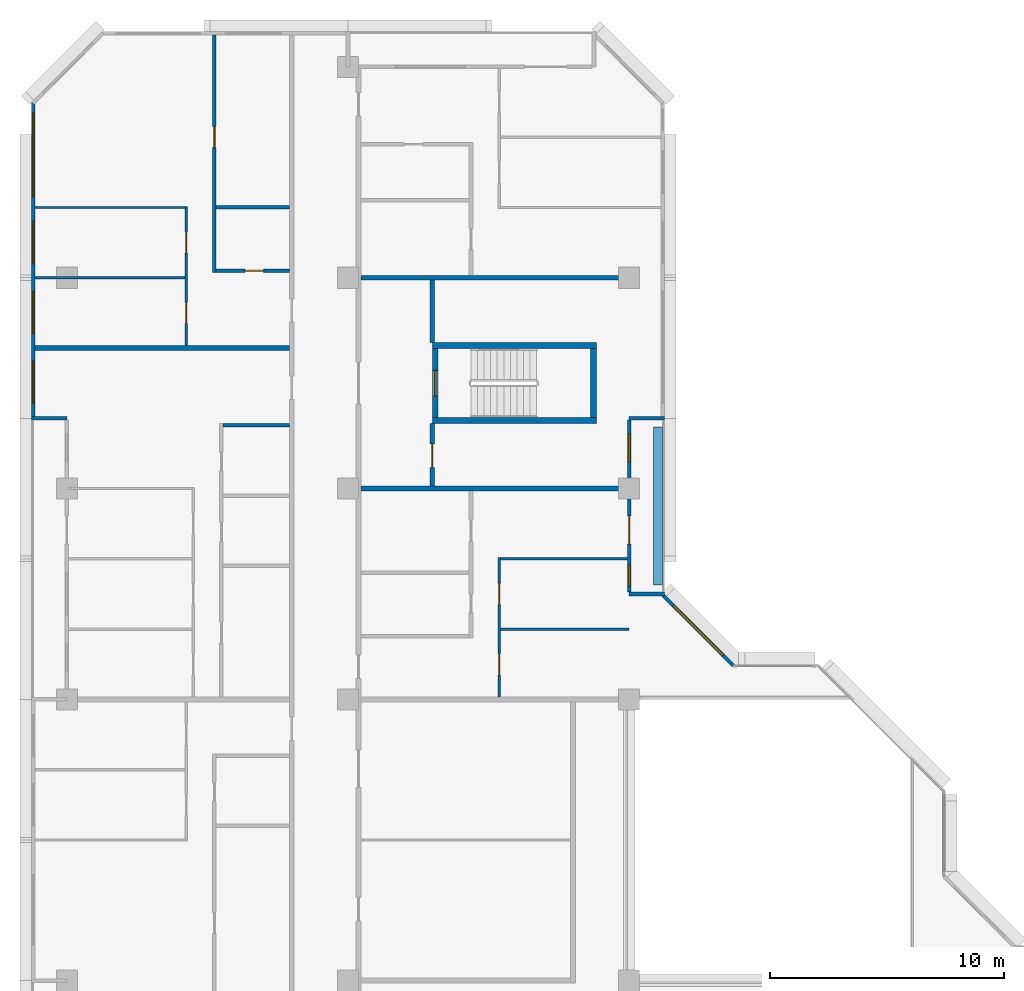
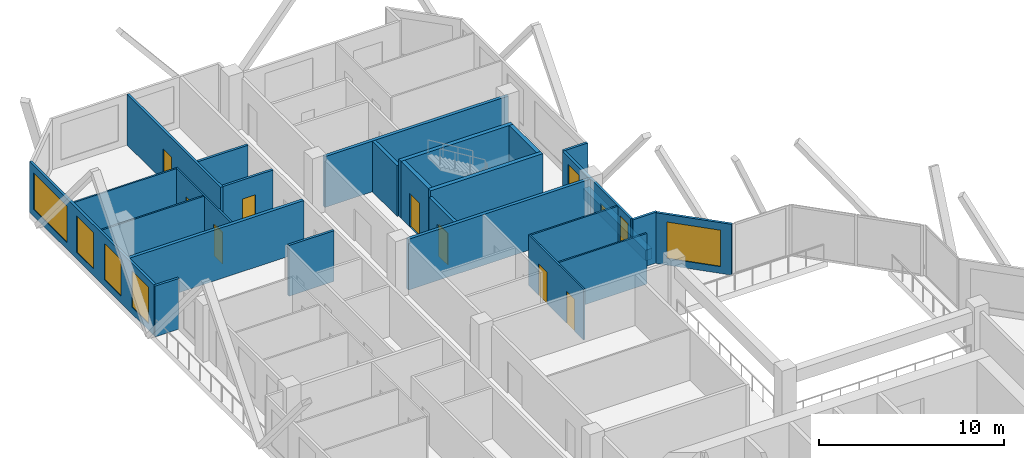
# One storey, part 10 of 14: 26 walls, 9 doors, 7 windows, 16 openings.
"""IFC4 building model written with IfcOpenShell, lengths in metres."""

from ifc_helpers import new_model, si_unit, direction, frame, frame_2d, origin, place, context, subcontext, project, spatial, rectangle, extrude, material, layer, layer_set, type_object, element, fill, save


model = new_model("IFC4")

# Units and contexts
model_context = context("Model", 3, precision=1e-05, world=origin(), true_north=direction((0.0, 1.0)))
body_context = subcontext(model_context, "Body", "Model", "MODEL_VIEW")
ifc_project = project(units=[si_unit("LENGTHUNIT", "METRE"), si_unit("AREAUNIT", "SQUARE_METRE"), si_unit("VOLUMEUNIT", "CUBIC_METRE"), si_unit("PLANEANGLEUNIT", "RADIAN"), si_unit("MASSUNIT", "GRAM", prefix="KILO")], contexts=[model_context])

# Site, building, storey
site_placement = place(None, origin())
site = spatial("IfcSite", under=ifc_project, at=site_placement, CompositionType="ELEMENT")
building_placement = place(site_placement, origin())
building = spatial("IfcBuilding", under=site, at=building_placement, Name="Chenar Terraces", CompositionType="ELEMENT")
storey_placement = place(building_placement, frame((0.0, 0.0, 164.89990234375)))
storey = spatial("IfcBuildingStorey", under=building, at=storey_placement, Name="L37", CompositionType="ELEMENT", Elevation=164.89990234375)

# Walls
ifc_material_1 = material(Name="Concrete C60/75", Category="concrete")
ifc_layer_1 = layer(ifc_material_1, 0.25)
ifc_layer_set_1 = layer_set([ifc_layer_1], Name="Concrete C60/75")
wall_type_1 = type_object("IfcWallType", Name="Core wall 250 Concrete C60/75", PredefinedType="SHEAR", material=ifc_layer_set_1)
for number, where, z_axis, x_axis, name in (
    (1, (15.60009765625, 47.89990234375, 0.0), (0.0, 0.0, 1.0), (1.0, 0.0, 0.0), "Core wall ST4_S L37"),
    (2, (15.60009765625, 51.10009765625, 0.0), (0.0, 0.0, 1.0), (1.0, 0.0, 0.0), "Core wall ST4_N L37"),
):
    element("IfcWall", number, at=place(storey_placement, frame(where, z_axis=z_axis, x_axis=x_axis)), inside=storey, type_object=wall_type_1, Name=name, PredefinedType="SHEAR", context=body_context, shape_type="SweptSolid", body=[
        extrude(rectangle(XDim=7.0, YDim=0.25, at=frame_2d((3.5, 0.0))), origin(), (0.0, 0.0, 1.0), 3.75),
    ])

# Wall, opening, door
wall_1_placement = place(storey_placement, frame((15.72509765625, 48.02490234375, 0.0), z_axis=(0.0, 0.0, 1.0), x_axis=(0.0, 1.0, 0.0)))
wall_1 = element("IfcWall", 3, at=wall_1_placement, inside=storey, type_object=wall_type_1, Name="Core wall ST4_W L37", PredefinedType="SHEAR", context=body_context, shape_type="SweptSolid", body=[
    extrude(rectangle(XDim=2.9501953125, YDim=0.25, at=frame_2d((1.47509765625, 0.0))), origin(), (0.0, 0.0, 1.0), 3.75),
])
opening_1_placement = place(wall_1_placement, frame((0.925048828125, 0.0, 0.0)))
opening_1 = element("IfcOpeningElement", 4, at=opening_1_placement, cuts=wall_1, Name="Opening DL37-C9", PredefinedType="OPENING", context=body_context, shape_type="SweptSolid", body=[
    extrude(rectangle(XDim=1.10009765625, YDim=2.199951171875, at=frame_2d((0.550048828125, 1.10009765625))), frame((0.0, 0.135009765625, 0.0), z_axis=(0.0, -1.0, 0.0), x_axis=(1.0, 0.0, 0.0)), (0.0, 0.0, 1.0), 0.27001953125),
])
ifc_material_2 = material(Name="Steel-framed fire-resisting door leaf", Category="steel")
door_type_1 = type_object("IfcDoorType", Name="Stair fire door FD60 1100 x 2200", OperationType="SINGLE_SWING_LEFT", PredefinedType="DOOR", material=ifc_material_2)
door_1_placement = place(opening_1_placement, frame((1.10009765625, 0.0, 0.0), z_axis=(0.0, 0.0, 1.0), x_axis=(-1.0, 0.0, 0.0)))
door_1 = element("IfcDoor", 5, at=door_1_placement, inside=storey, type_object=door_type_1, Name="Stair door DL37-C9", OperationType="SINGLE_SWING_RIGHT", OverallHeight=2.199951171875, OverallWidth=1.10009765625, PredefinedType="DOOR", context=body_context, shape_type="SweptSolid", body=[
    extrude(rectangle(XDim=1.10009765625, YDim=2.199951171875, at=frame_2d((0.550048828125, 1.10009765625))), frame((0.0, 0.02490234375, 0.0), z_axis=(0.0, -1.0, 0.0), x_axis=(1.0, 0.0, 0.0)), (0.0, 0.0, 1.0), 0.050048828125),
])
fill(opening_1, door_1)

# Wall
wall_2_placement = place(storey_placement, frame((22.47509765625, 48.02490234375, 0.0), z_axis=(0.0, 0.0, 1.0), x_axis=(0.0, 1.0, 0.0)))
element("IfcWall", 6, at=wall_2_placement, inside=storey, type_object=wall_type_1, Name="Core wall ST4_E L37", PredefinedType="SHEAR", context=body_context, shape_type="SweptSolid", body=[
    extrude(rectangle(XDim=2.9501953125, YDim=0.25, at=frame_2d((1.47509765625, 0.0))), origin(), (0.0, 0.0, 1.0), 3.75),
])

# Wall, opening, door
ifc_material_3 = material(Name="Gypsum board on steel studs with fire boards", Category="steel")
ifc_layer_2 = layer(ifc_material_3, 0.199951171875)
ifc_layer_set_2 = layer_set([ifc_layer_2], Name="Gypsum board on steel studs with fire boards")
wall_type_2 = type_object("IfcWallType", Name="Corridor wall 200", PredefinedType="PARTITIONING", material=ifc_layer_set_2)
wall_3_placement = place(storey_placement, frame((15.60009765625, 45.10009765625, 0.0), z_axis=(0.0, 0.0, 1.0), x_axis=(0.0, 1.0, 0.0)))
wall_3 = element("IfcWall", 7, at=wall_3_placement, inside=storey, type_object=wall_type_2, Name="Partition L37-042", PredefinedType="PARTITIONING", context=body_context, shape_type="SweptSolid", body=[
    extrude(rectangle(XDim=2.6748046875, YDim=0.199951171875, at=frame_2d((1.33740234375, 0.0))), origin(), (0.0, 0.0, 1.0), 3.35009765625),
])
opening_2_placement = place(wall_3_placement, frame((0.800048828125, 0.0, 0.0)))
opening_2 = element("IfcOpeningElement", 8, at=opening_2_placement, cuts=wall_3, Name="Opening DL37-44", PredefinedType="OPENING", context=body_context, shape_type="SweptSolid", body=[
    extrude(rectangle(XDim=1.0, YDim=2.10009765625, at=frame_2d((0.5, 1.050048828125))), frame((0.0, 0.10986328125, 0.0), z_axis=(0.0, -1.0, 0.0), x_axis=(1.0, 0.0, 0.0)), (0.0, 0.0, 1.0), 0.219970703125),
])
ifc_material_4 = material(Name="Steel-framed fire-resisting door leaf", Category="steel")
door_type_2 = type_object("IfcDoorType", Name="Fire door FD60 1000 x 2100", OperationType="SINGLE_SWING_LEFT", PredefinedType="DOOR", material=ifc_material_4)
door_2_placement = place(opening_2_placement, frame((1.0, 0.0, 0.0), z_axis=(0.0, 0.0, 1.0), x_axis=(-1.0, 0.0, 0.0)))
door_2 = element("IfcDoor", 9, at=door_2_placement, inside=storey, type_object=door_type_2, Name="Door DL37-44", OperationType="SINGLE_SWING_RIGHT", OverallHeight=2.10009765625, OverallWidth=1.0, PredefinedType="DOOR", context=body_context, shape_type="SweptSolid", body=[
    extrude(rectangle(XDim=1.0, YDim=2.10009765625, at=frame_2d((0.5, 1.050048828125))), frame((0.0, 0.02490234375, 0.0), z_axis=(0.0, -1.0, 0.0), x_axis=(1.0, 0.0, 0.0)), (0.0, 0.0, 1.0), 0.050048828125),
])
fill(opening_2, door_2)

# Wall
wall_4_placement = place(storey_placement, frame((15.60009765625, 51.22509765625, 0.0), z_axis=(0.0, 0.0, 1.0), x_axis=(0.0, 1.0, 0.0)))
element("IfcWall", 10, at=wall_4_placement, inside=storey, type_object=wall_type_2, Name="Partition L37-043", PredefinedType="PARTITIONING", context=body_context, shape_type="SweptSolid", body=[
    extrude(rectangle(XDim=2.6748046875, YDim=0.199951171875, at=frame_2d((1.33740234375, 0.0))), origin(), (0.0, 0.0, 1.0), 3.35009765625),
])

# Wall, openings, windows
ifc_material_5 = material(Name="Aluminium framed glazing", Category="aluminium")
ifc_layer_3 = layer(ifc_material_5, 0.14990234375)
ifc_layer_set_3 = layer_set([ifc_layer_3], Name="Aluminium framed glazing")
wall_type_3 = type_object("IfcWallType", Name="Glazed flush facade wall 150", PredefinedType="SOLIDWALL", material=ifc_layer_set_3)
wall_5_placement = place(storey_placement, frame((-1.425048828125, 61.5, 0.0), z_axis=(0.0, 0.0, 1.0), x_axis=(0.0, -1.0, 0.0)))
wall_5 = element("IfcWall", 11, at=wall_5_placement, inside=storey, type_object=wall_type_3, Name="Glazed flush facade wall", PredefinedType="SOLIDWALL", context=body_context, shape_type="SweptSolid", body=[
    extrude(rectangle(XDim=13.425048828125, YDim=0.14990234375, at=frame_2d((6.71240234375, 0.0))), origin(), (0.0, 0.0, 1.0), 3.35009765625),
])
opening_3_placement = place(wall_5_placement, frame((0.449951171875, 0.0, 0.449951171875)))
opening_3 = element("IfcOpeningElement", 12, at=opening_3_placement, cuts=wall_5, Name="Opening W360x240", PredefinedType="OPENING", context=body_context, shape_type="SweptSolid", body=[
    extrude(rectangle(XDim=3.60009765625, YDim=2.39990234375, at=frame_2d((1.800048828125, 1.199951171875))), frame((0.0, 0.0849609375, 0.0), z_axis=(0.0, -1.0, 0.0), x_axis=(1.0, 0.0, 0.0)), (0.0, 0.0, 1.0), 0.169921875),
])
opening_4_placement = place(wall_5_placement, frame((5.10009765625, 0.0, 0.449951171875)))
opening_4 = element("IfcOpeningElement", 13, at=opening_4_placement, cuts=wall_5, Name="Opening W180x240", PredefinedType="OPENING", context=body_context, shape_type="SweptSolid", body=[
    extrude(rectangle(XDim=1.800048828125, YDim=2.39990234375, at=frame_2d((0.89990234375, 1.199951171875))), frame((0.0, 0.0849609375, 0.0), z_axis=(0.0, -1.0, 0.0), x_axis=(1.0, 0.0, 0.0)), (0.0, 0.0, 1.0), 0.169921875),
])
opening_5_placement = place(wall_5_placement, frame((8.10009765625, 0.0, 0.449951171875)))
opening_5 = element("IfcOpeningElement", 14, at=opening_5_placement, cuts=wall_5, Name="Opening W180x240", PredefinedType="OPENING", context=body_context, shape_type="SweptSolid", body=[
    extrude(rectangle(XDim=1.800048828125, YDim=2.39990234375, at=frame_2d((0.89990234375, 1.199951171875))), frame((0.0, 0.0849609375, 0.0), z_axis=(0.0, -1.0, 0.0), x_axis=(1.0, 0.0, 0.0)), (0.0, 0.0, 1.0), 0.169921875),
])
opening_6_placement = place(wall_5_placement, frame((11.0625, 0.0, 0.449951171875)))
opening_6 = element("IfcOpeningElement", 15, at=opening_6_placement, cuts=wall_5, Name="Opening W180x240", PredefinedType="OPENING", context=body_context, shape_type="SweptSolid", body=[
    extrude(rectangle(XDim=1.800048828125, YDim=2.39990234375, at=frame_2d((0.89990234375, 1.199951171875))), frame((0.0, 0.0849609375, 0.0), z_axis=(0.0, -1.0, 0.0), x_axis=(1.0, 0.0, 0.0)), (0.0, 0.0, 1.0), 0.169921875),
])
ifc_material_6 = material(Name="Low emissivity double glazing, aluminium frame", Category="aluminium")
window_type_1 = type_object("IfcWindowType", Name="Fixed light 1800 x 2400", PartitioningType="SINGLE_PANEL", PredefinedType="WINDOW", material=ifc_material_6)
window_1_placement = place(opening_4_placement, origin())
window_1 = element("IfcWindow", 16, at=window_1_placement, inside=storey, type_object=window_type_1, Name="Window", OverallHeight=2.39990234375, OverallWidth=1.800048828125, PartitioningType="SINGLE_PANEL", PredefinedType="WINDOW", context=body_context, shape_type="SweptSolid", body=[
    extrude(rectangle(XDim=1.800048828125, YDim=2.39990234375, at=frame_2d((0.89990234375, 1.199951171875))), frame((0.0, 0.030029296875, 0.0), z_axis=(0.0, -1.0, 0.0), x_axis=(1.0, 0.0, 0.0)), (0.0, 0.0, 1.0), 0.06005859375),
])
fill(opening_4, window_1)
window_2_placement = place(opening_5_placement, origin())
window_2 = element("IfcWindow", 17, at=window_2_placement, inside=storey, type_object=window_type_1, Name="Window", OverallHeight=2.39990234375, OverallWidth=1.800048828125, PartitioningType="SINGLE_PANEL", PredefinedType="WINDOW", context=body_context, shape_type="SweptSolid", body=[
    extrude(rectangle(XDim=1.800048828125, YDim=2.39990234375, at=frame_2d((0.89990234375, 1.199951171875))), frame((0.0, 0.030029296875, 0.0), z_axis=(0.0, -1.0, 0.0), x_axis=(1.0, 0.0, 0.0)), (0.0, 0.0, 1.0), 0.06005859375),
])
fill(opening_5, window_2)
window_3_placement = place(opening_6_placement, origin())
window_3 = element("IfcWindow", 18, at=window_3_placement, inside=storey, type_object=window_type_1, Name="Window", OverallHeight=2.39990234375, OverallWidth=1.800048828125, PartitioningType="SINGLE_PANEL", PredefinedType="WINDOW", context=body_context, shape_type="SweptSolid", body=[
    extrude(rectangle(XDim=1.800048828125, YDim=2.39990234375, at=frame_2d((0.89990234375, 1.199951171875))), frame((0.0, 0.030029296875, 0.0), z_axis=(0.0, -1.0, 0.0), x_axis=(1.0, 0.0, 0.0)), (0.0, 0.0, 1.0), 0.06005859375),
])
fill(opening_6, window_3)
ifc_material_7 = material(Name="Low emissivity double glazing, aluminium frame", Category="aluminium")
window_type_2 = type_object("IfcWindowType", Name="Fixed light 3600 x 2400", PartitioningType="SINGLE_PANEL", PredefinedType="WINDOW", material=ifc_material_7)
window_4_placement = place(opening_3_placement, origin())
window_4 = element("IfcWindow", 19, at=window_4_placement, inside=storey, type_object=window_type_2, Name="Window", OverallHeight=2.39990234375, OverallWidth=3.60009765625, PartitioningType="SINGLE_PANEL", PredefinedType="WINDOW", context=body_context, shape_type="SweptSolid", body=[
    extrude(rectangle(XDim=3.60009765625, YDim=2.39990234375, at=frame_2d((1.800048828125, 1.199951171875))), frame((0.0, 0.030029296875, 0.0), z_axis=(0.0, -1.0, 0.0), x_axis=(1.0, 0.0, 0.0)), (0.0, 0.0, 1.0), 0.06005859375),
])
fill(opening_3, window_4)

# Wall, openings, windows, door
ifc_material_8 = material(Name="Aluminium framed glazing", Category="aluminium")
ifc_layer_4 = layer(ifc_material_8, 0.14990234375)
ifc_layer_set_4 = layer_set([ifc_layer_4], Name="Aluminium framed glazing")
wall_type_4 = type_object("IfcWallType", Name="Glazed loggia back wall 150", PredefinedType="SOLIDWALL", material=ifc_layer_set_4)
wall_6_placement = place(storey_placement, frame((24.0, 40.574951171875, 0.0), z_axis=(0.0, 0.0, 1.0), x_axis=(0.0, 1.0, 0.0)))
wall_6 = element("IfcWall", 20, at=wall_6_placement, inside=storey, type_object=wall_type_4, Name="Glazed loggia back wall", PredefinedType="SOLIDWALL", context=body_context, shape_type="SweptSolid", body=[
    extrude(rectangle(XDim=7.35009765625, YDim=0.14990234375, at=frame_2d((3.675048828125, 0.0))), origin(), (0.0, 0.0, 1.0), 3.35009765625),
])
opening_7_placement = place(wall_6_placement, frame((0.262451171875, 0.0, 0.449951171875)))
opening_7 = element("IfcOpeningElement", 21, at=opening_7_placement, cuts=wall_6, Name="Opening W90x240", PredefinedType="OPENING", context=body_context, shape_type="SweptSolid", body=[
    extrude(rectangle(XDim=0.89990234375, YDim=2.39990234375, at=frame_2d((0.449951171875, 1.199951171875))), frame((0.0, 0.0849609375, 0.0), z_axis=(0.0, -1.0, 0.0), x_axis=(1.0, 0.0, 0.0)), (0.0, 0.0, 1.0), 0.169921875),
])
opening_8_placement = place(wall_6_placement, frame((2.050048828125, 0.0, 0.0)))
opening_8 = element("IfcOpeningElement", 22, at=opening_8_placement, cuts=wall_6, Name="Opening DL37-G1", PredefinedType="OPENING", context=body_context, shape_type="SweptSolid", body=[
    extrude(rectangle(XDim=1.199951171875, YDim=2.39990234375, at=frame_2d((0.60009765625, 1.199951171875))), frame((0.0, 0.0849609375, 0.0), z_axis=(0.0, -1.0, 0.0), x_axis=(1.0, 0.0, 0.0)), (0.0, 0.0, 1.0), 0.169921875),
])
opening_9_placement = place(wall_6_placement, frame((5.5625, 0.0, 0.449951171875)))
opening_9 = element("IfcOpeningElement", 23, at=opening_9_placement, cuts=wall_6, Name="Opening W120x240", PredefinedType="OPENING", context=body_context, shape_type="SweptSolid", body=[
    extrude(rectangle(XDim=1.199951171875, YDim=2.39990234375, at=frame_2d((0.60009765625, 1.199951171875))), frame((0.0, 0.0849609375, 0.0), z_axis=(0.0, -1.0, 0.0), x_axis=(1.0, 0.0, 0.0)), (0.0, 0.0, 1.0), 0.169921875),
])
ifc_material_9 = material(Name="Low emissivity double glazing, aluminium frame", Category="aluminium")
window_type_3 = type_object("IfcWindowType", Name="Fixed light 1200 x 2400", PartitioningType="SINGLE_PANEL", PredefinedType="WINDOW", material=ifc_material_9)
window_5_placement = place(opening_9_placement, origin())
window_5 = element("IfcWindow", 24, at=window_5_placement, inside=storey, type_object=window_type_3, Name="Window", OverallHeight=2.39990234375, OverallWidth=1.199951171875, PartitioningType="SINGLE_PANEL", PredefinedType="WINDOW", context=body_context, shape_type="SweptSolid", body=[
    extrude(rectangle(XDim=1.199951171875, YDim=2.39990234375, at=frame_2d((0.60009765625, 1.199951171875))), frame((0.0, 0.030029296875, 0.0), z_axis=(0.0, -1.0, 0.0), x_axis=(1.0, 0.0, 0.0)), (0.0, 0.0, 1.0), 0.06005859375),
])
fill(opening_9, window_5)
ifc_material_10 = material(Name="Low emissivity double glazing, aluminium frame", Category="aluminium")
window_type_4 = type_object("IfcWindowType", Name="Fixed light 900 x 2400", PartitioningType="SINGLE_PANEL", PredefinedType="WINDOW", material=ifc_material_10)
window_6_placement = place(opening_7_placement, origin())
window_6 = element("IfcWindow", 25, at=window_6_placement, inside=storey, type_object=window_type_4, Name="Window", OverallHeight=2.39990234375, OverallWidth=0.89990234375, PartitioningType="SINGLE_PANEL", PredefinedType="WINDOW", context=body_context, shape_type="SweptSolid", body=[
    extrude(rectangle(XDim=0.89990234375, YDim=2.39990234375, at=frame_2d((0.449951171875, 1.199951171875))), frame((0.0, 0.030029296875, 0.0), z_axis=(0.0, -1.0, 0.0), x_axis=(1.0, 0.0, 0.0)), (0.0, 0.0, 1.0), 0.06005859375),
])
fill(opening_7, window_6)
ifc_material_11 = material(Name="Low emissivity double glazing, aluminium frame", Category="aluminium")
door_type_3 = type_object("IfcDoorType", Name="Loggia glazed double door 1200 x 2400", OperationType="DOUBLE_DOOR_SINGLE_SWING", PredefinedType="DOOR", material=ifc_material_11)
door_3_placement = place(opening_8_placement, frame((1.199951171875, 0.0, 0.0), z_axis=(0.0, 0.0, 1.0), x_axis=(-1.0, 0.0, 0.0)))
door_3 = element("IfcDoor", 26, at=door_3_placement, inside=storey, type_object=door_type_3, Name="Loggia glazed door", OperationType="DOUBLE_DOOR_SINGLE_SWING", OverallHeight=2.39990234375, OverallWidth=1.199951171875, PredefinedType="DOOR", context=body_context, shape_type="SweptSolid", body=[
    extrude(rectangle(XDim=1.199951171875, YDim=2.39990234375, at=frame_2d((0.60009765625, 1.199951171875))), frame((0.0, 0.02490234375, 0.0), z_axis=(0.0, -1.0, 0.0), x_axis=(1.0, 0.0, 0.0)), (0.0, 0.0, 1.0), 0.050048828125),
])
fill(opening_8, door_3)

# Walls
ifc_material_12 = material(Name="Gypsum board on steel studs", Category="steel")
ifc_layer_5 = layer(ifc_material_12, 0.10009765625)
ifc_layer_set_5 = layer_set([ifc_layer_5], Name="Gypsum board on steel studs")
wall_type_5 = type_object("IfcWallType", Name="Gypsum partition 100", PredefinedType="PARTITIONING", material=ifc_layer_set_5)
wall_7_placement = place(storey_placement, frame((-1.35107421875, 54.0, 0.0), z_axis=(0.0, 0.0, 1.0), x_axis=(1.0, 0.0, 0.0)))
element("IfcWall", 27, at=wall_7_placement, inside=storey, type_object=wall_type_5, Name="Partition L37-002", PredefinedType="PARTITIONING", context=body_context, shape_type="SweptSolid", body=[
    extrude(rectangle(XDim=6.401123046875, YDim=0.10009765625, at=frame_2d((3.20068359375, 0.0))), origin(), (0.0, 0.0, 1.0), 3.35009765625),
])
wall_8_placement = place(storey_placement, frame((-1.35009765625, 57.0, 0.0), z_axis=(0.0, 0.0, 1.0), x_axis=(1.0, 0.0, 0.0)))
element("IfcWall", 28, at=wall_8_placement, inside=storey, type_object=wall_type_5, Name="Partition L37-006", PredefinedType="PARTITIONING", context=body_context, shape_type="SweptSolid", body=[
    extrude(rectangle(XDim=6.400146484375, YDim=0.10009765625, at=frame_2d((3.2001953125, 0.0))), origin(), (0.0, 0.0, 1.0), 3.35009765625),
])

# Wall, openings, doors
wall_9_placement = place(storey_placement, frame((5.10009765625, 51.10009765625, 0.0), z_axis=(0.0, 0.0, 1.0), x_axis=(0.0, 1.0, 0.0)))
wall_9 = element("IfcWall", 29, at=wall_9_placement, inside=storey, type_object=wall_type_5, Name="Partition L37-014", PredefinedType="PARTITIONING", context=body_context, shape_type="SweptSolid", body=[
    extrude(rectangle(XDim=5.949951171875, YDim=0.10009765625, at=frame_2d((2.97509765625, 0.0))), origin(), (0.0, 0.0, 1.0), 3.35009765625),
])
opening_10_placement = place(wall_9_placement, frame((0.949951171875, 0.0, 0.0)))
opening_10 = element("IfcOpeningElement", 30, at=opening_10_placement, cuts=wall_9, Name="Opening DL37-35", PredefinedType="OPENING", context=body_context, shape_type="SweptSolid", body=[
    extrude(rectangle(XDim=0.89990234375, YDim=2.10009765625, at=frame_2d((0.449951171875, 1.050048828125))), frame((0.0, 0.06005859375, 0.0), z_axis=(0.0, -1.0, 0.0), x_axis=(1.0, 0.0, 0.0)), (0.0, 0.0, 1.0), 0.1201171875),
])
opening_11_placement = place(wall_9_placement, frame((3.949951171875, 0.0, 0.0)))
opening_11 = element("IfcOpeningElement", 31, at=opening_11_placement, cuts=wall_9, Name="Opening DL37-36", PredefinedType="OPENING", context=body_context, shape_type="SweptSolid", body=[
    extrude(rectangle(XDim=0.89990234375, YDim=2.10009765625, at=frame_2d((0.449951171875, 1.050048828125))), frame((0.0, 0.06005859375, 0.0), z_axis=(0.0, -1.0, 0.0), x_axis=(1.0, 0.0, 0.0)), (0.0, 0.0, 1.0), 0.1201171875),
])
ifc_material_13 = material(Name="Veneered timber door leaf", Category="wood")
door_type_4 = type_object("IfcDoorType", Name="Door 900 x 2100", OperationType="SINGLE_SWING_LEFT", PredefinedType="DOOR", material=ifc_material_13)
door_4_placement = place(opening_10_placement, origin())
door_4 = element("IfcDoor", 32, at=door_4_placement, inside=storey, type_object=door_type_4, Name="Door DL37-35", OperationType="SINGLE_SWING_RIGHT", OverallHeight=2.10009765625, OverallWidth=0.89990234375, PredefinedType="DOOR", context=body_context, shape_type="SweptSolid", body=[
    extrude(rectangle(XDim=0.89990234375, YDim=2.10009765625, at=frame_2d((0.449951171875, 1.050048828125))), frame((0.0, 0.02490234375, 0.0), z_axis=(0.0, -1.0, 0.0), x_axis=(1.0, 0.0, 0.0)), (0.0, 0.0, 1.0), 0.050048828125),
])
fill(opening_10, door_4)
door_5_placement = place(opening_11_placement, origin())
door_5 = element("IfcDoor", 33, at=door_5_placement, inside=storey, type_object=door_type_4, Name="Door DL37-36", OperationType="SINGLE_SWING_RIGHT", OverallHeight=2.10009765625, OverallWidth=0.89990234375, PredefinedType="DOOR", context=body_context, shape_type="SweptSolid", body=[
    extrude(rectangle(XDim=0.89990234375, YDim=2.10009765625, at=frame_2d((0.449951171875, 1.050048828125))), frame((0.0, 0.02490234375, 0.0), z_axis=(0.0, -1.0, 0.0), x_axis=(1.0, 0.0, 0.0)), (0.0, 0.0, 1.0), 0.050048828125),
])
fill(opening_11, door_5)

wall_10_placement = place(storey_placement, frame((18.449951171875, 36.10009765625, 0.0), z_axis=(0.0, 0.0, 1.0), x_axis=(0.0, 1.0, 0.0)))
wall_10 = element("IfcWall", 34, at=wall_10_placement, inside=storey, type_object=wall_type_5, Name="Partition L37-047", PredefinedType="PARTITIONING", context=body_context, shape_type="SweptSolid", body=[
    extrude(rectangle(XDim=5.949951171875, YDim=0.10009765625, at=frame_2d((2.97509765625, 0.0))), origin(), (0.0, 0.0, 1.0), 3.35009765625),
])
opening_12_placement = place(wall_10_placement, frame((0.949951171875, 0.0, 0.0)))
opening_12 = element("IfcOpeningElement", 35, at=opening_12_placement, cuts=wall_10, Name="Opening DL37-18", PredefinedType="OPENING", context=body_context, shape_type="SweptSolid", body=[
    extrude(rectangle(XDim=0.89990234375, YDim=2.10009765625, at=frame_2d((0.449951171875, 1.050048828125))), frame((0.0, 0.06005859375, 0.0), z_axis=(0.0, -1.0, 0.0), x_axis=(1.0, 0.0, 0.0)), (0.0, 0.0, 1.0), 0.1201171875),
])
opening_13_placement = place(wall_10_placement, frame((3.949951171875, 0.0, 0.0)))
opening_13 = element("IfcOpeningElement", 36, at=opening_13_placement, cuts=wall_10, Name="Opening DL37-19", PredefinedType="OPENING", context=body_context, shape_type="SweptSolid", body=[
    extrude(rectangle(XDim=0.89990234375, YDim=2.10009765625, at=frame_2d((0.449951171875, 1.050048828125))), frame((0.0, 0.06005859375, 0.0), z_axis=(0.0, -1.0, 0.0), x_axis=(1.0, 0.0, 0.0)), (0.0, 0.0, 1.0), 0.1201171875),
])
door_6_placement = place(opening_12_placement, frame((0.89990234375, 0.0, 0.0), z_axis=(0.0, 0.0, 1.0), x_axis=(-1.0, 0.0, 0.0)))
door_6 = element("IfcDoor", 37, at=door_6_placement, inside=storey, type_object=door_type_4, Name="Door DL37-18", OperationType="SINGLE_SWING_LEFT", OverallHeight=2.10009765625, OverallWidth=0.89990234375, PredefinedType="DOOR", context=body_context, shape_type="SweptSolid", body=[
    extrude(rectangle(XDim=0.89990234375, YDim=2.10009765625, at=frame_2d((0.449951171875, 1.050048828125))), frame((0.0, 0.02490234375, 0.0), z_axis=(0.0, -1.0, 0.0), x_axis=(1.0, 0.0, 0.0)), (0.0, 0.0, 1.0), 0.050048828125),
])
fill(opening_12, door_6)
door_7_placement = place(opening_13_placement, frame((0.89990234375, 0.0, 0.0), z_axis=(0.0, 0.0, 1.0), x_axis=(-1.0, 0.0, 0.0)))
door_7 = element("IfcDoor", 38, at=door_7_placement, inside=storey, type_object=door_type_4, Name="Door DL37-19", OperationType="SINGLE_SWING_LEFT", OverallHeight=2.10009765625, OverallWidth=0.89990234375, PredefinedType="DOOR", context=body_context, shape_type="SweptSolid", body=[
    extrude(rectangle(XDim=0.89990234375, YDim=2.10009765625, at=frame_2d((0.449951171875, 1.050048828125))), frame((0.0, 0.02490234375, 0.0), z_axis=(0.0, -1.0, 0.0), x_axis=(1.0, 0.0, 0.0)), (0.0, 0.0, 1.0), 0.050048828125),
])
fill(opening_13, door_7)

# Walls
wall_11_placement = place(storey_placement, frame((18.5, 39.0, 0.0), z_axis=(0.0, 0.0, 1.0), x_axis=(1.0, 0.0, 0.0)))
element("IfcWall", 39, at=wall_11_placement, inside=storey, type_object=wall_type_5, Name="Partition L37-049", PredefinedType="PARTITIONING", context=body_context, shape_type="SweptSolid", body=[
    extrude(rectangle(XDim=5.5, YDim=0.10009765625, at=frame_2d((2.75, 0.0))), origin(), (0.0, 0.0, 1.0), 3.35009765625),
])
wall_12_placement = place(storey_placement, frame((18.5, 42.0, 0.0), z_axis=(0.0, 0.0, 1.0), x_axis=(1.0, 0.0, 0.0)))
element("IfcWall", 40, at=wall_12_placement, inside=storey, type_object=wall_type_5, Name="Partition L37-050", PredefinedType="PARTITIONING", context=body_context, shape_type="SweptSolid", body=[
    extrude(rectangle(XDim=5.426025390625, YDim=0.10009765625, at=frame_2d((2.712890625, 0.0))), origin(), (0.0, 0.0, 1.0), 3.35009765625),
])
ifc_material_14 = material(Name="Terracotta cladding on insulated backing", Category="masonry")
ifc_layer_6 = layer(ifc_material_14, 0.14990234375)
ifc_layer_set_6 = layer_set([ifc_layer_6], Name="Terracotta cladding on insulated backing")
wall_type_6 = type_object("IfcWallType", Name="Loggia return wall 150", PredefinedType="SOLIDWALL", material=ifc_layer_set_6)
for number, where, z_axis, x_axis, name in (
    (41, (25.5, 40.5, 0.0), (0.0, 0.0, 1.0), (-1.0, 0.0, 0.0), "Loggia return wall"),
    (42, (25.5, 48.0, 0.0), (0.0, 0.0, 1.0), (-1.0, 0.0, 0.0), "Loggia return wall"),
    (43, (-1.5, 48.0, 0.0), (0.0, 0.0, 1.0), (1.0, 0.0, 0.0), "Loggia return wall"),
):
    element("IfcWall", number, at=place(storey_placement, frame(where, z_axis=z_axis, x_axis=x_axis)), inside=storey, type_object=wall_type_6, Name=name, PredefinedType="SOLIDWALL", context=body_context, shape_type="SweptSolid", body=[
        extrude(rectangle(XDim=1.5, YDim=0.14990234375, at=frame_2d((0.75, 0.0))), origin(), (0.0, 0.0, 1.0), 3.35009765625),
    ])

# Wall, opening, window
ifc_material_15 = material(Name="Terracotta cladding on insulated backing", Category="masonry")
ifc_layer_7 = layer(ifc_material_15, 0.14990234375)
ifc_layer_set_7 = layer_set([ifc_layer_7], Name="Terracotta cladding on insulated backing")
wall_type_7 = type_object("IfcWallType", Name="Terracotta rainscreen wall 150", PredefinedType="SOLIDWALL", material=ifc_layer_set_7)
wall_13_placement = place(storey_placement, frame((28.447021484375, 37.447021484375, 0.0), z_axis=(0.0, 0.0, 1.0), x_axis=(-0.707106781187, 0.707106781187, 0.0)))
wall_13 = element("IfcWall", 44, at=wall_13_placement, inside=storey, type_object=wall_type_7, Name="Terracotta rainscreen wall", PredefinedType="SOLIDWALL", context=body_context, shape_type="SweptSolid", body=[
    extrude(rectangle(XDim=4.24267578125, YDim=0.14990234375, at=frame_2d((2.121337890625, 0.0))), origin(), (0.0, 0.0, 1.0), 3.35009765625),
])
opening_14_placement = place(wall_13_placement, frame((0.621337890625, 0.0, 0.449951171875)))
opening_14 = element("IfcOpeningElement", 45, at=opening_14_placement, cuts=wall_13, Name="Opening W300x240", PredefinedType="OPENING", context=body_context, shape_type="SweptSolid", body=[
    extrude(rectangle(XDim=3.0, YDim=2.39990234375, at=frame_2d((1.5, 1.199951171875))), frame((0.0, 0.0849609375, 0.0), z_axis=(0.0, -1.0, 0.0), x_axis=(1.0, 0.0, 0.0)), (0.0, 0.0, 1.0), 0.169921875),
])
ifc_material_16 = material(Name="Low emissivity double glazing, aluminium frame", Category="aluminium")
window_type_5 = type_object("IfcWindowType", Name="Fixed light 3000 x 2400", PartitioningType="SINGLE_PANEL", PredefinedType="WINDOW", material=ifc_material_16)
window_7_placement = place(opening_14_placement, origin())
window_7 = element("IfcWindow", 46, at=window_7_placement, inside=storey, type_object=window_type_5, Name="Window", OverallHeight=2.39990234375, OverallWidth=3.0, PartitioningType="SINGLE_PANEL", PredefinedType="WINDOW", context=body_context, shape_type="SweptSolid", body=[
    extrude(rectangle(XDim=3.0, YDim=2.39990234375, at=frame_2d((1.5, 1.199951171875))), frame((0.0, 0.030029296875, 0.0), z_axis=(0.0, -1.0, 0.0), x_axis=(1.0, 0.0, 0.0)), (0.0, 0.0, 1.0), 0.06005859375),
])
fill(opening_14, window_7)

# Walls
ifc_material_17 = material(Name="Twin gypsum board on steel studs with mineral wool", Category="steel")
ifc_layer_8 = layer(ifc_material_17, 0.199951171875)
ifc_layer_set_8 = layer_set([ifc_layer_8], Name="Twin gypsum board on steel studs with mineral wool")
wall_type_8 = type_object("IfcWallType", Name="Unit demising wall 200", PredefinedType="PARTITIONING", material=ifc_layer_set_8)
wall_14_placement = place(storey_placement, frame((-1.35009765625, 51.0, 0.0), z_axis=(0.0, 0.0, 1.0), x_axis=(1.0, 0.0, 0.0)))
element("IfcWall", 47, at=wall_14_placement, inside=storey, type_object=wall_type_8, Name="Partition L37-005", PredefinedType="PARTITIONING", context=body_context, shape_type="SweptSolid", body=[
    extrude(rectangle(XDim=10.85009765625, YDim=0.199951171875, at=frame_2d((5.425048828125, 0.0))), origin(), (0.0, 0.0, 1.0), 3.35009765625),
])
wall_15_placement = place(storey_placement, frame((12.550048828125, 45.0, 0.0), z_axis=(0.0, 0.0, 1.0), x_axis=(1.0, 0.0, 0.0)))
element("IfcWall", 48, at=wall_15_placement, inside=storey, type_object=wall_type_8, Name="Partition L37-037", PredefinedType="PARTITIONING", context=body_context, shape_type="SweptSolid", body=[
    extrude(rectangle(XDim=11.3759765625, YDim=0.199951171875, at=frame_2d((5.68798828125, 0.0))), origin(), (0.0, 0.0, 1.0), 3.35009765625),
])
wall_16_placement = place(storey_placement, frame((12.550048828125, 54.0, 0.0), z_axis=(0.0, 0.0, 1.0), x_axis=(1.0, 0.0, 0.0)))
element("IfcWall", 49, at=wall_16_placement, inside=storey, type_object=wall_type_8, Name="Partition L37-038", PredefinedType="PARTITIONING", context=body_context, shape_type="SweptSolid", body=[
    extrude(rectangle(XDim=11.449951171875, YDim=0.199951171875, at=frame_2d((5.72509765625, 0.0))), origin(), (0.0, 0.0, 1.0), 3.35009765625),
])
ifc_material_18 = material(Name="GRP planter trough")
ifc_layer_9 = layer(ifc_material_18, 0.39990234375)
ifc_layer_set_9 = layer_set([ifc_layer_9], Name="GRP planter trough")
wall_type_9 = type_object("IfcWallType", Name="Vertical greenery planter 400", PredefinedType="SOLIDWALL", material=ifc_layer_set_9)
wall_17_placement = place(storey_placement, frame((25.22900390625, 40.875, 0.0), z_axis=(0.0, 0.0, 1.0), x_axis=(0.0, 1.0, 0.0)))
element("IfcWall", 50, at=wall_17_placement, inside=storey, type_object=wall_type_9, Name="Vertical greenery planter", PredefinedType="SOLIDWALL", context=body_context, shape_type="SweptSolid", body=[
    extrude(rectangle(XDim=6.75, YDim=0.39990234375, at=frame_2d((3.375, 0.0))), origin(), (0.0, 0.0, 1.0), 0.7001953125),
])

# Wall, opening, door
ifc_material_19 = material(Name="Moisture-resistant gypsum board on steel studs", Category="steel")
ifc_layer_10 = layer(ifc_material_19, 0.14990234375)
ifc_layer_set_10 = layer_set([ifc_layer_10], Name="Moisture-resistant gypsum board on steel studs")
wall_type_10 = type_object("IfcWallType", Name="Wet-room partition 150", PredefinedType="PARTITIONING", material=ifc_layer_set_10)
wall_18_placement = place(storey_placement, frame((6.300048828125, 54.22509765625, 0.0), z_axis=(0.0, 0.0, 1.0), x_axis=(0.0, 1.0, 0.0)))
wall_18 = element("IfcWall", 51, at=wall_18_placement, inside=storey, type_object=wall_type_10, Name="Partition L37-017", PredefinedType="PARTITIONING", context=body_context, shape_type="SweptSolid", body=[
    extrude(rectangle(XDim=10.125, YDim=0.14990234375, at=frame_2d((5.0625, 0.0))), origin(), (0.0, 0.0, 1.0), 3.35009765625),
])
opening_15_placement = place(wall_18_placement, frame((5.324951171875, 0.0, 0.0)))
opening_15 = element("IfcOpeningElement", 52, at=opening_15_placement, cuts=wall_18, Name="Opening DL37-37", PredefinedType="OPENING", context=body_context, shape_type="SweptSolid", body=[
    extrude(rectangle(XDim=0.89990234375, YDim=2.10009765625, at=frame_2d((0.449951171875, 1.050048828125))), frame((0.0, 0.0849609375, 0.0), z_axis=(0.0, -1.0, 0.0), x_axis=(1.0, 0.0, 0.0)), (0.0, 0.0, 1.0), 0.169921875),
])
door_8_placement = place(opening_15_placement, frame((0.89990234375, 0.0, 0.0), z_axis=(0.0, 0.0, 1.0), x_axis=(-1.0, 0.0, 0.0)))
door_8 = element("IfcDoor", 53, at=door_8_placement, inside=storey, type_object=door_type_4, Name="Door DL37-37", OperationType="SINGLE_SWING_RIGHT", OverallHeight=2.10009765625, OverallWidth=0.89990234375, PredefinedType="DOOR", context=body_context, shape_type="SweptSolid", body=[
    extrude(rectangle(XDim=0.89990234375, YDim=2.10009765625, at=frame_2d((0.449951171875, 1.050048828125))), frame((0.0, 0.02490234375, 0.0), z_axis=(0.0, -1.0, 0.0), x_axis=(1.0, 0.0, 0.0)), (0.0, 0.0, 1.0), 0.050048828125),
])
fill(opening_15, door_8)

wall_19_placement = place(storey_placement, frame((6.375, 54.300048828125, 0.0), z_axis=(0.0, 0.0, 1.0), x_axis=(1.0, 0.0, 0.0)))
wall_19 = element("IfcWall", 54, at=wall_19_placement, inside=storey, type_object=wall_type_10, Name="Partition L37-020", PredefinedType="PARTITIONING", context=body_context, shape_type="SweptSolid", body=[
    extrude(rectangle(XDim=3.125, YDim=0.14990234375, at=frame_2d((1.5625, 0.0))), origin(), (0.0, 0.0, 1.0), 3.35009765625),
])
opening_16_placement = place(wall_19_placement, frame((1.22509765625, 0.0, 0.0)))
opening_16 = element("IfcOpeningElement", 55, at=opening_16_placement, cuts=wall_19, Name="Opening DL37-34", PredefinedType="OPENING", context=body_context, shape_type="SweptSolid", body=[
    extrude(rectangle(XDim=0.800048828125, YDim=2.10009765625, at=frame_2d((0.39990234375, 1.050048828125))), frame((0.0, 0.0849609375, 0.0), z_axis=(0.0, -1.0, 0.0), x_axis=(1.0, 0.0, 0.0)), (0.0, 0.0, 1.0), 0.169921875),
])
ifc_material_20 = material(Name="Veneered timber door leaf", Category="wood")
door_type_5 = type_object("IfcDoorType", Name="Door 800 x 2100", OperationType="SINGLE_SWING_LEFT", PredefinedType="DOOR", material=ifc_material_20)
door_9_placement = place(opening_16_placement, origin())
door_9 = element("IfcDoor", 56, at=door_9_placement, inside=storey, type_object=door_type_5, Name="Door DL37-34", OperationType="SINGLE_SWING_RIGHT", OverallHeight=2.10009765625, OverallWidth=0.800048828125, PredefinedType="DOOR", context=body_context, shape_type="SweptSolid", body=[
    extrude(rectangle(XDim=0.800048828125, YDim=2.10009765625, at=frame_2d((0.39990234375, 1.050048828125))), frame((0.0, 0.02490234375, 0.0), z_axis=(0.0, -1.0, 0.0), x_axis=(1.0, 0.0, 0.0)), (0.0, 0.0, 1.0), 0.050048828125),
])
fill(opening_16, door_9)

# Walls
wall_20_placement = place(storey_placement, frame((6.375, 57.0, 0.0), z_axis=(0.0, 0.0, 1.0), x_axis=(1.0, 0.0, 0.0)))
element("IfcWall", 57, at=wall_20_placement, inside=storey, type_object=wall_type_10, Name="Partition L37-021", PredefinedType="PARTITIONING", context=body_context, shape_type="SweptSolid", body=[
    extrude(rectangle(XDim=3.125, YDim=0.14990234375, at=frame_2d((1.5625, 0.0))), origin(), (0.0, 0.0, 1.0), 3.35009765625),
])
wall_21_placement = place(storey_placement, frame((6.675048828125, 47.699951171875, 0.0), z_axis=(0.0, 0.0, 1.0), x_axis=(1.0, 0.0, 0.0)))
element("IfcWall", 58, at=wall_21_placement, inside=storey, type_object=wall_type_10, Name="Partition L37-025", PredefinedType="PARTITIONING", context=body_context, shape_type="SweptSolid", body=[
    extrude(rectangle(XDim=2.824951171875, YDim=0.14990234375, at=frame_2d((1.41259765625, 0.0))), origin(), (0.0, 0.0, 1.0), 3.35009765625),
])

save(model, "model.ifc")
